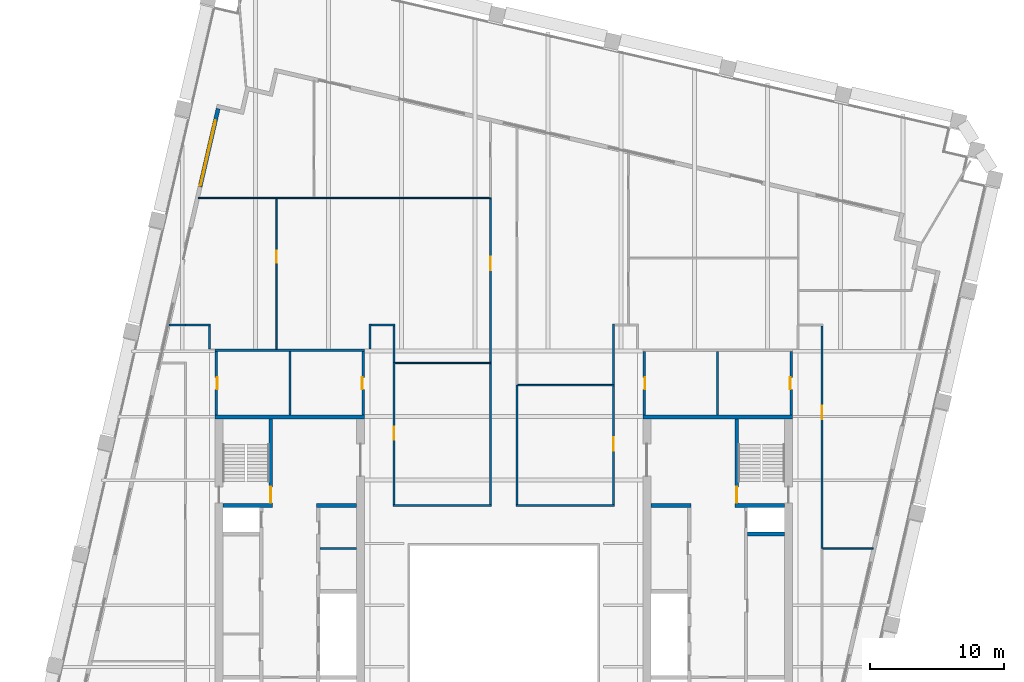
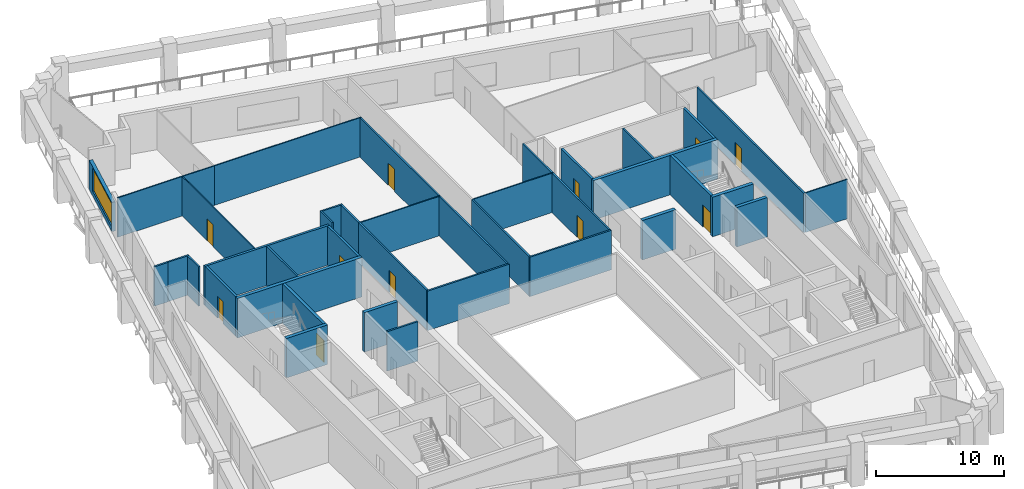
# One storey, part 8 of 11: 40 walls, 11 doors, 1 window, 12 openings.
"""IFC4 building model written with IfcOpenShell, lengths in metres."""

import ifcopenshell
import ifcopenshell.guid

model = None  # the IFC model being written
_history = None  # IfcOwnerHistory: only IFC2X3 demands one
_inside = {}  # id of a spatial element -> (the spatial element, [elements in it])
_under = {}  # id of a project, library or spatial element -> (it, [spatial elements below it])
_declared = {}  # id of a project -> (the project, [libraries it declares])
_typed = {}  # id of a type object -> (the type object, [elements of that type])
_made_of = {}  # id of a material, layer set ... -> (it, [elements and type objects made of it])


def new_model(schema):
    """Start an empty IFC model of exactly this schema.

    Asked for "IFC4X3", IfcOpenShell would pick the latest addendum, in which some entities
    have other attributes; the version numbers below select the first issue.
    IFC2X3 requires an IfcOwnerHistory on every rooted entity: one is made here for all.
    """
    global model, _history
    if schema == "IFC4X3":
        model = ifcopenshell.file(schema_version=(4, 3, 0, 0))
    else:
        model = ifcopenshell.file(schema=schema)
    _inside.clear()
    _under.clear()
    _declared.clear()
    _typed.clear()
    _made_of.clear()
    _history = None
    if model.schema == "IFC2X3":
        org = make("IfcOrganization", Name="unknown")
        user = make(
            "IfcPersonAndOrganization",
            ThePerson=make("IfcPerson", FamilyName="unknown"),
            TheOrganization=org,
        )
        app = make(
            "IfcApplication",
            ApplicationDeveloper=org,
            Version="unknown",
            ApplicationFullName="unknown",
            ApplicationIdentifier="unknown",
        )
        _history = make(
            "IfcOwnerHistory",
            OwningUser=user,
            OwningApplication=app,
            ChangeAction="ADDED",
            CreationDate=0,
        )
    return model


def make(cls, **values):
    """One entity of the class cls with the attributes given. An attribute that is None is left unset."""
    return model.create_entity(
        cls, **{name: value for name, value in values.items() if value is not None}
    )


def rooted(cls, **values):
    """An entity with a GlobalId (a new one), such as an element, a storey or a relation."""
    return make(cls, GlobalId=ifcopenshell.guid.new(), OwnerHistory=_history, **values)


def si_unit(unit_type, name, prefix=None):
    """IfcSIUnit, for example si_unit("LENGTHUNIT", "METRE", prefix="MILLI")."""
    return make("IfcSIUnit", UnitType=unit_type, Prefix=prefix, Name=name)


def assignment(units):
    """IfcUnitAssignment: the units of a project."""
    return None if units is None else make("IfcUnitAssignment", Units=units)


def point(xyz):
    """IfcCartesianPoint."""
    return None if xyz is None else make("IfcCartesianPoint", Coordinates=xyz)


def direction(xyz):
    """IfcDirection."""
    return None if xyz is None else make("IfcDirection", DirectionRatios=xyz)


def frame(location, z_axis=None, x_axis=None):
    """IfcAxis2Placement3D, a coordinate frame: its origin and axes. An axis left out is left unset."""
    return make(
        "IfcAxis2Placement3D",
        Location=point(location),
        Axis=direction(z_axis),
        RefDirection=direction(x_axis),
    )


def frame_2d(location, x_axis=None):
    """IfcAxis2Placement2D, a coordinate frame in the plane: its origin and x axis."""
    return make(
        "IfcAxis2Placement2D", Location=point(location), RefDirection=direction(x_axis)
    )


def origin():
    """The frame at (0, 0, 0) with its axes left unset."""
    return frame((0.0, 0.0, 0.0))


def place(relative_to, where):
    """IfcLocalPlacement: puts the frame where relative to a parent placement (None: the world)."""
    return make(
        "IfcLocalPlacement", PlacementRelTo=relative_to, RelativePlacement=where
    )


def context(
    kind, dimensions, precision=None, world=None, true_north=None, identifier=None
):
    """IfcGeometricRepresentationContext, for example the 3D "Model" context."""
    return make(
        "IfcGeometricRepresentationContext",
        ContextIdentifier=identifier,
        ContextType=kind,
        CoordinateSpaceDimension=dimensions,
        Precision=precision,
        WorldCoordinateSystem=world,
        TrueNorth=true_north,
    )


def subcontext(parent, identifier, kind, view, scale=None):
    """IfcGeometricRepresentationSubContext, for example "Body" below "Model"."""
    return make(
        "IfcGeometricRepresentationSubContext",
        ContextIdentifier=identifier,
        ContextType=kind,
        ParentContext=parent,
        TargetScale=scale,
        TargetView=view,
    )


def project(units=None, contexts=None):
    """IfcProject with its units and contexts."""
    return rooted(
        "IfcProject",
        Name="project",
        RepresentationContexts=contexts,
        UnitsInContext=assignment(units),
    )


def spatial(cls, under=None, at=None, **own):
    """A site, building, storey or space (cls), placed at a placement, below another one or the project."""
    s = rooted(cls, ObjectPlacement=at, **own)
    if under is not None:
        _under.setdefault(under.id(), (under, []))[1].append(s)
    return s


def profile(cls, at=None, kind="AREA", **sizes):
    """A parametric profile (cls). Its sizes go by their IFC names, for example OverallWidth=200.0."""
    return make(cls, ProfileType=kind, Position=at, **sizes)


def rectangle(**sizes):
    """IfcRectangleProfileDef."""
    return profile("IfcRectangleProfileDef", **sizes)


def extrude(swept, where, along, depth):
    """IfcExtrudedAreaSolid: the profile swept, set in the frame where, extruded along a direction by depth."""
    return make(
        "IfcExtrudedAreaSolid",
        SweptArea=swept,
        Position=where,
        ExtrudedDirection=direction(along),
        Depth=depth,
    )


def shape(context_of_items, identifier, shape_type, items):
    """IfcShapeRepresentation: the items that make up one representation, for example the "Body"."""
    return make(
        "IfcShapeRepresentation",
        ContextOfItems=context_of_items,
        RepresentationIdentifier=identifier,
        RepresentationType=shape_type,
        Items=items,
    )


def material(Name=None, Category=None):
    """IfcMaterial."""
    return make("IfcMaterial", Name=Name, Category=Category)


def layer(
    of_material, thickness, ventilated=None, Name=None, Category=None, Priority=None
):
    """IfcMaterialLayer: one layer of a wall or slab, of a material (None: an air gap)."""
    return make(
        "IfcMaterialLayer",
        Material=of_material,
        LayerThickness=thickness,
        IsVentilated=ventilated,
        Name=Name,
        Category=Category,
        Priority=Priority,
    )


def layer_set(layers, Name=None):
    """IfcMaterialLayerSet."""
    return make("IfcMaterialLayerSet", MaterialLayers=layers, LayerSetName=Name)


def made_of(thing, what):
    """Note that an element or type object is made of a material, layer set ...; save() writes the relation."""
    if what is not None:
        _made_of.setdefault(what.id(), (what, []))[1].append(thing)
    return thing


def type_object(cls, material=None, **own):
    """A type object (cls), such as IfcWallType, which elements share."""
    return made_of(rooted(cls, **own), material)


def element(
    cls,
    number,
    at=None,
    inside=None,
    cuts=None,
    type_object=None,
    material=None,
    context=None,
    identifier="Body",
    shape_type=None,
    held_by="IfcProductDefinitionShape",
    body=None,
    shapes=None,
    **own,
):
    """One element of the class cls, such as IfcWall. Its Tag is "e" and its number.

    at: its placement. inside: the storey or other place that contains it. cuts: it is an
    opening in that element (IfcRelVoidsElement). A single representation is given by context,
    identifier, shape_type and body (its items); several are given by shapes. held_by: the class
    of the entity that holds the representations. save() writes the other relations.
    """
    e = rooted(cls, Tag="e%d" % number, ObjectPlacement=at, **own)
    if body is not None:
        shapes = [shape(context, identifier, shape_type, body)]
    if shapes is not None:
        e.Representation = make(held_by, Representations=shapes)
    if inside is not None:
        _inside.setdefault(inside.id(), (inside, []))[1].append(e)
    if cuts is not None:
        rooted(
            "IfcRelVoidsElement", RelatingBuildingElement=cuts, RelatedOpeningElement=e
        )
    if type_object is not None:
        _typed.setdefault(type_object.id(), (type_object, []))[1].append(e)
    return made_of(e, material)


def fill(opening, filler):
    """IfcRelFillsElement: the door or window that sits in an opening."""
    return rooted(
        "IfcRelFillsElement",
        RelatingOpeningElement=opening,
        RelatedBuildingElement=filler,
    )


def aggregate(whole, parts):
    """IfcRelAggregates: a whole, such as a stair, and the parts it consists of."""
    return rooted("IfcRelAggregates", RelatingObject=whole, RelatedObjects=parts)


def save(model, path):
    """Write the relations noted so far, then the file.

    IfcRelAggregates (storeys below a building ...), IfcRelContainedInSpatialStructure (elements
    in a storey), IfcRelDefinesByType, IfcRelAssociatesMaterial and IfcRelDeclares: one each for
    every whole, place, type object, material and project.
    """
    for whole, parts in _under.values():
        aggregate(whole, parts)
    for where, things in _inside.values():
        rooted(
            "IfcRelContainedInSpatialStructure",
            RelatedElements=things,
            RelatingStructure=where,
        )
    for kind, things in _typed.values():
        rooted("IfcRelDefinesByType", RelatedObjects=things, RelatingType=kind)
    for what, things in _made_of.values():
        rooted("IfcRelAssociatesMaterial", RelatedObjects=things, RelatingMaterial=what)
    for by, libraries in _declared.values():
        rooted("IfcRelDeclares", RelatingContext=by, RelatedDefinitions=libraries)
    model.write(path)


model = new_model("IFC4")

# Units and contexts
model_context = context("Model", 3, precision=1e-05, world=origin(), true_north=direction((0.0, 1.0)))
body_context = subcontext(model_context, "Body", "Model", "MODEL_VIEW")
ifc_project = project(units=[si_unit("LENGTHUNIT", "METRE"), si_unit("AREAUNIT", "SQUARE_METRE"), si_unit("VOLUMEUNIT", "CUBIC_METRE"), si_unit("PLANEANGLEUNIT", "RADIAN"), si_unit("MASSUNIT", "GRAM", prefix="KILO")], contexts=[model_context])

# Site, building, storey
site_placement = place(None, origin())
site = spatial("IfcSite", under=ifc_project, at=site_placement, CompositionType="ELEMENT")
building_placement = place(site_placement, origin())
building = spatial("IfcBuilding", under=site, at=building_placement, Name="Ogive Exchange Tower", CompositionType="ELEMENT")
storey_placement = place(building_placement, frame((0.0, 0.0, 293.39990234375)))
storey = spatial("IfcBuildingStorey", under=building, at=storey_placement, Name="L64", CompositionType="ELEMENT", Elevation=293.39990234375)

# Walls
ifc_material_1 = material(Name="Gypsum board partition")
ifc_layer_1 = layer(ifc_material_1, 0.14990234375)
ifc_layer_set_1 = layer_set([ifc_layer_1], Name="Core room partition 150 gypsum")
wall_type_1 = type_object("IfcWallType", Name="Core room partition 150 gypsum", PredefinedType="PARTITIONING", material=ifc_layer_set_1)
wall_1_placement = place(storey_placement, frame((-13.75, 15.800048828125, 0.0), z_axis=(0.0, 0.0, 1.0), x_axis=(1.0, 0.0, 0.0)))
element("IfcWall", 1, at=wall_1_placement, inside=storey, type_object=wall_type_1, Name="W row B bay partition 4-1", PredefinedType="PARTITIONING", context=body_context, shape_type="SweptSolid", body=[
    extrude(rectangle(XDim=2.75, YDim=0.14990234375, at=frame_2d((1.375, 0.0))), origin(), (0.0, 0.0, 1.0), 3.75),
])
for number, where, z_axis, x_axis, name in (
    (2, (-16.0, 25.75, 0.0), (0.0, 0.0, 1.0), (0.0, 1.0, 0.0), "W annex N column wall"),
    (3, (16.0, 25.75, 0.0), (0.0, 0.0, 1.0), (0.0, 1.0, 0.0), "E annex N column wall"),
):
    element("IfcWall", number, at=place(storey_placement, frame(where, z_axis=z_axis, x_axis=x_axis)), inside=storey, type_object=wall_type_1, Name=name, PredefinedType="PARTITIONING", context=body_context, shape_type="SweptSolid", body=[
        extrude(rectangle(XDim=4.75, YDim=0.14990234375, at=frame_2d((2.375, 0.0))), origin(), (0.0, 0.0, 1.0), 3.75),
    ])
ifc_layer_2 = layer(ifc_material_1, 0.300048828125)
ifc_layer_set_2 = layer_set([ifc_layer_2], Name="Core room partition 300 gypsum")
wall_type_2 = type_object("IfcWallType", Name="Core room partition 300 gypsum", PredefinedType="PARTITIONING", material=ifc_layer_set_2)
for number, where, z_axis, x_axis, name in (
    (4, (-14.0, 19.0, 0.0), (0.0, 0.0, 1.0), (1.0, 0.0, 0.0), "W row B room end wall 7"),
    (5, (11.0, 19.0, 0.0), (0.0, 0.0, 1.0), (1.0, 0.0, 0.0), "E row B room end wall 7"),
):
    element("IfcWall", number, at=place(storey_placement, frame(where, z_axis=z_axis, x_axis=x_axis)), inside=storey, type_object=wall_type_2, Name=name, PredefinedType="PARTITIONING", context=body_context, shape_type="SweptSolid", body=[
        extrude(rectangle(XDim=3.0, YDim=0.300048828125, at=frame_2d((1.5, 0.0))), origin(), (0.0, 0.0, 1.0), 3.75),
    ])
ifc_material_2 = material(Name="Fire partition EI 60 150")
ifc_layer_3 = layer(ifc_material_2, 0.14990234375)
ifc_layer_set_3 = layer_set([ifc_layer_3], Name="Fire partition EI 60 150")
wall_type_3 = type_object("IfcWallType", Name="Fire partition EI 60 150", PredefinedType="PARTITIONING", material=ifc_layer_set_3)
wall_2_placement = place(storey_placement, frame((-25.02490234375, 32.489990234375, 0.0), z_axis=(0.0, 0.0, 1.0), x_axis=(1.0, 0.0, 0.0)))
element("IfcWall", 6, at=wall_2_placement, inside=storey, type_object=wall_type_3, Name="L64-PWL-001", PredefinedType="PARTITIONING", context=body_context, shape_type="SweptSolid", body=[
    extrude(rectangle(XDim=1.224853515625, YDim=0.14990234375, at=frame_2d((0.6123046875, 0.0))), origin(), (0.0, 0.0, 1.0), 3.75),
])
wall_3_placement = place(storey_placement, frame((-23.800048828125, 32.5, 0.0), z_axis=(0.0, 0.0, 1.0), x_axis=(1.0, 0.0, 0.0)))
element("IfcWall", 7, at=wall_3_placement, inside=storey, type_object=wall_type_3, Name="L64-PWL-006", PredefinedType="PARTITIONING", context=body_context, shape_type="SweptSolid", body=[
    extrude(rectangle(XDim=1.875, YDim=0.14990234375, at=frame_2d((0.9375, 0.0))), origin(), (0.0, 0.0, 1.0), 3.75),
])
wall_4_placement = place(storey_placement, frame((-22.0, 32.425048828125, 0.0), z_axis=(0.0, 0.0, 1.0), x_axis=(0.0, -1.0, 0.0)))
element("IfcWall", 8, at=wall_4_placement, inside=storey, type_object=wall_type_3, Name="L64-PWL-008", PredefinedType="PARTITIONING", context=body_context, shape_type="SweptSolid", body=[
    extrude(rectangle(XDim=1.72509765625, YDim=0.14990234375, at=frame_2d((0.862548828125, 0.0))), origin(), (0.0, 0.0, 1.0), 3.75),
])
wall_5_placement = place(storey_placement, frame((-10.0, 30.699951171875, 0.0), z_axis=(0.0, 0.0, 1.0), x_axis=(0.0, 1.0, 0.0)))
element("IfcWall", 9, at=wall_5_placement, inside=storey, type_object=wall_type_3, Name="L64-PWL-015", PredefinedType="PARTITIONING", context=body_context, shape_type="SweptSolid", body=[
    extrude(rectangle(XDim=1.875, YDim=0.14990234375, at=frame_2d((0.9375, 0.0))), origin(), (0.0, 0.0, 1.0), 3.75),
])
wall_6_placement = place(storey_placement, frame((-9.925048828125, 32.5, 0.0), z_axis=(0.0, 0.0, 1.0), x_axis=(1.0, 0.0, 0.0)))
element("IfcWall", 10, at=wall_6_placement, inside=storey, type_object=wall_type_3, Name="L64-PWL-016", PredefinedType="PARTITIONING", context=body_context, shape_type="SweptSolid", body=[
    extrude(rectangle(XDim=1.800048828125, YDim=0.14990234375, at=frame_2d((0.89990234375, 0.0))), origin(), (0.0, 0.0, 1.0), 3.75),
])
wall_7_placement = place(storey_placement, frame((-8.27490234375, 19.0, 0.0), z_axis=(0.0, 0.0, 1.0), x_axis=(1.0, 0.0, 0.0)))
element("IfcWall", 11, at=wall_7_placement, inside=storey, type_object=wall_type_3, Name="L64-PWL-017", PredefinedType="PARTITIONING", context=body_context, shape_type="SweptSolid", body=[
    extrude(rectangle(XDim=7.35986328125, YDim=0.14990234375, at=frame_2d((3.679931640625, 0.0))), origin(), (0.0, 0.0, 1.0), 3.75),
])

# Wall, opening, door
wall_8_placement = place(storey_placement, frame((-8.199951171875, 29.7099609375, 0.0), z_axis=(0.0, 0.0, 1.0), x_axis=(0.0, -1.0, 0.0)))
wall_8 = element("IfcWall", 12, at=wall_8_placement, inside=storey, type_object=wall_type_3, Name="L64-PWL-018", PredefinedType="PARTITIONING", context=body_context, shape_type="SweptSolid", body=[
    extrude(rectangle(XDim=10.635009765625, YDim=0.14990234375, at=frame_2d((5.3173828125, 0.0))), origin(), (0.0, 0.0, 1.0), 3.75),
])
opening_1_placement = place(wall_8_placement, frame((4.81005859375, 0.0, 0.0)))
opening_1 = element("IfcOpeningElement", 13, at=opening_1_placement, cuts=wall_8, Name="Opening L64-I10", PredefinedType="OPENING", context=body_context, shape_type="SweptSolid", body=[
    extrude(rectangle(XDim=1.0, YDim=2.10009765625, at=frame_2d((0.5, 1.050048828125))), frame((0.0, 0.0849609375, 0.0), z_axis=(0.0, -1.0, 0.0), x_axis=(1.0, 0.0, 0.0)), (0.0, 0.0, 1.0), 0.169921875),
])
ifc_material_3 = material(Name="Fire door FD 30S 1000 x 2100")
door_type_1 = type_object("IfcDoorType", Name="Fire door FD 30S 1000 x 2100", OperationType="NOTDEFINED", PredefinedType="DOOR", material=ifc_material_3)
door_1_placement = place(opening_1_placement, origin())
door_1 = element("IfcDoor", 14, at=door_1_placement, inside=storey, type_object=door_type_1, Name="L64-IDR-010", ObjectType="DT3", OperationType="SINGLE_SWING_LEFT", OverallHeight=2.10009765625, OverallWidth=1.0, PredefinedType="DOOR", context=body_context, shape_type="SweptSolid", body=[
    extrude(rectangle(XDim=1.0, YDim=2.10009765625, at=frame_2d((0.5, 1.050048828125))), frame((0.0, 0.02490234375, 0.0), z_axis=(0.0, -1.0, 0.0), x_axis=(1.0, 0.0, 0.0)), (0.0, 0.0, 1.0), 0.050048828125),
])
fill(opening_1, door_1)

# Walls
wall_9_placement = place(storey_placement, frame((-8.199951171875, 32.425048828125, 0.0), z_axis=(0.0, 0.0, 1.0), x_axis=(0.0, -1.0, 0.0)))
element("IfcWall", 15, at=wall_9_placement, inside=storey, type_object=wall_type_3, Name="L64-PWL-020", PredefinedType="PARTITIONING", context=body_context, shape_type="SweptSolid", body=[
    extrude(rectangle(XDim=2.715087890625, YDim=0.14990234375, at=frame_2d((1.357421875, 0.0))), origin(), (0.0, 0.0, 1.0), 3.75),
])
wall_10_placement = place(storey_placement, frame((-0.989990234375, 19.074951171875, 0.0), z_axis=(0.0, 0.0, 1.0), x_axis=(0.0, 1.0, 0.0)))
element("IfcWall", 16, at=wall_10_placement, inside=storey, type_object=wall_type_3, Name="L64-PWL-021", PredefinedType="PARTITIONING", context=body_context, shape_type="SweptSolid", body=[
    extrude(rectangle(XDim=10.53515625, YDim=0.14990234375, at=frame_2d((5.267578125, 0.0))), origin(), (0.0, 0.0, 1.0), 3.75),
])

# Wall, opening, door
wall_11_placement = place(storey_placement, frame((-0.989990234375, 29.7099609375, 0.0), z_axis=(0.0, 0.0, 1.0), x_axis=(0.0, 1.0, 0.0)))
wall_11 = element("IfcWall", 17, at=wall_11_placement, inside=storey, type_object=wall_type_3, Name="L64-PWL-022", PredefinedType="PARTITIONING", context=body_context, shape_type="SweptSolid", body=[
    extrude(rectangle(XDim=12.239990234375, YDim=0.14990234375, at=frame_2d((6.1201171875, 0.0))), origin(), (0.0, 0.0, 1.0), 3.75),
])
opening_2_placement = place(wall_11_placement, frame((6.889892578125, 0.0, 0.0)))
opening_2 = element("IfcOpeningElement", 18, at=opening_2_placement, cuts=wall_11, Name="Opening L64-I12", PredefinedType="OPENING", context=body_context, shape_type="SweptSolid", body=[
    extrude(rectangle(XDim=1.0, YDim=2.10009765625, at=frame_2d((0.5, 1.050048828125))), frame((0.0, 0.0849609375, 0.0), z_axis=(0.0, -1.0, 0.0), x_axis=(1.0, 0.0, 0.0)), (0.0, 0.0, 1.0), 0.169921875),
])
door_2_placement = place(opening_2_placement, origin())
door_2 = element("IfcDoor", 19, at=door_2_placement, inside=storey, type_object=door_type_1, Name="L64-IDR-012", ObjectType="DT3", OperationType="SINGLE_SWING_LEFT", OverallHeight=2.10009765625, OverallWidth=1.0, PredefinedType="DOOR", context=body_context, shape_type="SweptSolid", body=[
    extrude(rectangle(XDim=1.0, YDim=2.10009765625, at=frame_2d((0.5, 1.050048828125))), frame((0.0, 0.02490234375, 0.0), z_axis=(0.0, -1.0, 0.0), x_axis=(1.0, 0.0, 0.0)), (0.0, 0.0, 1.0), 0.050048828125),
])
fill(opening_2, door_2)

# Walls
wall_12_placement = place(storey_placement, frame((0.9150390625, 19.0, 0.0), z_axis=(0.0, 0.0, 1.0), x_axis=(1.0, 0.0, 0.0)))
element("IfcWall", 20, at=wall_12_placement, inside=storey, type_object=wall_type_3, Name="L64-PWL-025", PredefinedType="PARTITIONING", context=body_context, shape_type="SweptSolid", body=[
    extrude(rectangle(XDim=7.35986328125, YDim=0.14990234375, at=frame_2d((3.679931640625, 0.0))), origin(), (0.0, 0.0, 1.0), 3.75),
])
wall_13_placement = place(storey_placement, frame((0.989990234375, 28.0, 0.0), z_axis=(0.0, 0.0, 1.0), x_axis=(0.0, -1.0, 0.0)))
element("IfcWall", 21, at=wall_13_placement, inside=storey, type_object=wall_type_3, Name="L64-PWL-026", PredefinedType="PARTITIONING", context=body_context, shape_type="SweptSolid", body=[
    extrude(rectangle(XDim=8.925048828125, YDim=0.14990234375, at=frame_2d((4.46240234375, 0.0))), origin(), (0.0, 0.0, 1.0), 3.75),
])

# Wall, opening, door
wall_14_placement = place(storey_placement, frame((8.199951171875, 19.074951171875, 0.0), z_axis=(0.0, 0.0, 1.0), x_axis=(0.0, 1.0, 0.0)))
wall_14 = element("IfcWall", 22, at=wall_14_placement, inside=storey, type_object=wall_type_3, Name="L64-PWL-029", PredefinedType="PARTITIONING", context=body_context, shape_type="SweptSolid", body=[
    extrude(rectangle(XDim=8.875, YDim=0.14990234375, at=frame_2d((4.4375, 0.0))), origin(), (0.0, 0.0, 1.0), 3.75),
])
opening_3_placement = place(wall_14_placement, frame((4.02490234375, 0.0, 0.0)))
opening_3 = element("IfcOpeningElement", 23, at=opening_3_placement, cuts=wall_14, Name="Opening L64-I01", PredefinedType="OPENING", context=body_context, shape_type="SweptSolid", body=[
    extrude(rectangle(XDim=1.0, YDim=2.10009765625, at=frame_2d((0.5, 1.050048828125))), frame((0.0, 0.0849609375, 0.0), z_axis=(0.0, -1.0, 0.0), x_axis=(1.0, 0.0, 0.0)), (0.0, 0.0, 1.0), 0.169921875),
])
door_3_placement = place(opening_3_placement, origin())
door_3 = element("IfcDoor", 24, at=door_3_placement, inside=storey, type_object=door_type_1, Name="L64-IDR-001", ObjectType="DT3", OperationType="SINGLE_SWING_RIGHT", OverallHeight=2.10009765625, OverallWidth=1.0, PredefinedType="DOOR", context=body_context, shape_type="SweptSolid", body=[
    extrude(rectangle(XDim=1.0, YDim=2.10009765625, at=frame_2d((0.5, 1.050048828125))), frame((0.0, 0.02490234375, 0.0), z_axis=(0.0, -1.0, 0.0), x_axis=(1.0, 0.0, 0.0)), (0.0, 0.0, 1.0), 0.050048828125),
])
fill(opening_3, door_3)

# Wall
wall_15_placement = place(storey_placement, frame((8.199951171875, 28.050048828125, 0.0), z_axis=(0.0, 0.0, 1.0), x_axis=(0.0, 1.0, 0.0)))
element("IfcWall", 25, at=wall_15_placement, inside=storey, type_object=wall_type_3, Name="L64-PWL-030", PredefinedType="PARTITIONING", context=body_context, shape_type="SweptSolid", body=[
    extrude(rectangle(XDim=4.52490234375, YDim=0.14990234375, at=frame_2d((2.262451171875, 0.0))), origin(), (0.0, 0.0, 1.0), 3.75),
])

# Wall, opening, door
wall_16_placement = place(storey_placement, frame((23.800048828125, 32.425048828125, 0.0), z_axis=(0.0, 0.0, 1.0), x_axis=(0.0, -1.0, 0.0)))
wall_16 = element("IfcWall", 26, at=wall_16_placement, inside=storey, type_object=wall_type_3, Name="L64-PWL-051", PredefinedType="PARTITIONING", context=body_context, shape_type="SweptSolid", body=[
    extrude(rectangle(XDim=16.635009765625, YDim=0.14990234375, at=frame_2d((8.3173828125, 0.0))), origin(), (0.0, 0.0, 1.0), 3.75),
])
opening_4_placement = place(wall_16_placement, frame((5.985107421875, 0.0, 0.0)))
opening_4 = element("IfcOpeningElement", 27, at=opening_4_placement, cuts=wall_16, Name="Opening L64-I08", PredefinedType="OPENING", context=body_context, shape_type="SweptSolid", body=[
    extrude(rectangle(XDim=1.0, YDim=2.10009765625, at=frame_2d((0.5, 1.050048828125))), frame((0.0, 0.0849609375, 0.0), z_axis=(0.0, -1.0, 0.0), x_axis=(1.0, 0.0, 0.0)), (0.0, 0.0, 1.0), 0.169921875),
])
door_4_placement = place(opening_4_placement, origin())
door_4 = element("IfcDoor", 28, at=door_4_placement, inside=storey, type_object=door_type_1, Name="L64-IDR-008", ObjectType="DT3", OperationType="SINGLE_SWING_RIGHT", OverallHeight=2.10009765625, OverallWidth=1.0, PredefinedType="DOOR", context=body_context, shape_type="SweptSolid", body=[
    extrude(rectangle(XDim=1.0, YDim=2.10009765625, at=frame_2d((0.5, 1.050048828125))), frame((0.0, 0.02490234375, 0.0), z_axis=(0.0, -1.0, 0.0), x_axis=(1.0, 0.0, 0.0)), (0.0, 0.0, 1.0), 0.050048828125),
])
fill(opening_4, door_4)

# Wall, opening, window
ifc_material_4 = material(Name="Precast concrete C40/50", Category="concrete")
ifc_layer_4 = layer(ifc_material_4, 0.300048828125)
ifc_layer_set_4 = layer_set([ifc_layer_4], Name="Limestone-faced wall 300")
wall_type_4 = type_object("IfcWallType", Name="Limestone-faced wall 300", PredefinedType="STANDARD", material=ifc_layer_set_4)
wall_17_placement = place(storey_placement, frame((-21.35888671875, 48.67822265625, 0.0), z_axis=(0.0, 0.0, 1.0), x_axis=(-0.224957459086, -0.974368586112, 0.0)))
wall_17 = element("IfcWall", 29, at=wall_17_placement, inside=storey, type_object=wall_type_4, Name="External wall W5", PredefinedType="STANDARD", context=body_context, shape_type="SweptSolid", body=[
    extrude(rectangle(XDim=6.007080078125, YDim=0.300048828125, at=frame_2d((3.00341796875, 0.0))), origin(), (0.0, 0.0, 1.0), 2.77001953125),
])
opening_5_placement = place(wall_17_placement, frame((0.906982421875, 0.0, 0.449951171875)))
opening_5 = element("IfcOpeningElement", 30, at=opening_5_placement, cuts=wall_17, Name="Opening W2O", PredefinedType="OPENING", context=body_context, shape_type="SweptSolid", body=[
    extrude(rectangle(XDim=5.0, YDim=2.199951171875, at=frame_2d((2.5, 1.10009765625))), frame((0.0, 0.159912109375, 0.0), z_axis=(0.0, -1.0, 0.0), x_axis=(1.0, 0.0, 0.0)), (0.0, 0.0, 1.0), 0.320068359375),
])
ifc_material_5 = material(Name="Clear glass in bronze frame", Category="glass")
window_type = type_object("IfcWindowType", Name="Executive lancet window 5000 x 2200", PartitioningType="DOUBLE_PANEL_VERTICAL", PredefinedType="WINDOW", material=ifc_material_5)
window_placement = place(opening_5_placement, origin())
window = element("IfcWindow", 31, at=window_placement, inside=storey, type_object=window_type, Name="Window W00", OverallHeight=2.199951171875, OverallWidth=5.0, PartitioningType="DOUBLE_PANEL_VERTICAL", PredefinedType="WINDOW", context=body_context, shape_type="SweptSolid", body=[
    extrude(rectangle(XDim=5.0, YDim=2.199951171875, at=frame_2d((2.5, 1.10009765625))), frame((0.0, 0.030029296875, 0.0), z_axis=(0.0, -1.0, 0.0), x_axis=(1.0, 0.0, 0.0)), (0.0, 0.0, 1.0), 0.06005859375),
])
fill(opening_5, window)

# Wall
ifc_material_6 = material(Name="Partition 100 gypsum")
ifc_layer_5 = layer(ifc_material_6, 0.10009765625)
ifc_layer_set_5 = layer_set([ifc_layer_5], Name="Partition 100 gypsum")
wall_type_5 = type_object("IfcWallType", Name="Partition 100 gypsum", PredefinedType="PARTITIONING", material=ifc_layer_set_5)
wall_18_placement = place(storey_placement, frame((-22.8291015625, 42.0, 0.0), z_axis=(0.0, 0.0, 1.0), x_axis=(1.0, 0.0, 0.0)))
element("IfcWall", 32, at=wall_18_placement, inside=storey, type_object=wall_type_5, Name="L64-PWL-007", PredefinedType="PARTITIONING", context=body_context, shape_type="SweptSolid", body=[
    extrude(rectangle(XDim=5.879150390625, YDim=0.10009765625, at=frame_2d((2.939453125, 0.0))), origin(), (0.0, 0.0, 1.0), 3.75),
])

# Wall, opening, door
wall_19_placement = place(storey_placement, frame((-17.0, 41.949951171875, 0.0), z_axis=(0.0, 0.0, 1.0), x_axis=(0.0, -1.0, 0.0)))
wall_19 = element("IfcWall", 33, at=wall_19_placement, inside=storey, type_object=wall_type_5, Name="L64-PWL-009", PredefinedType="PARTITIONING", context=body_context, shape_type="SweptSolid", body=[
    extrude(rectangle(XDim=11.25, YDim=0.10009765625, at=frame_2d((5.625, 0.0))), origin(), (0.0, 0.0, 1.0), 3.75),
])
opening_6_placement = place(wall_19_placement, frame((3.89990234375, 0.0, 0.0)))
opening_6 = element("IfcOpeningElement", 34, at=opening_6_placement, cuts=wall_19, Name="Opening L64-I11", PredefinedType="OPENING", context=body_context, shape_type="SweptSolid", body=[
    extrude(rectangle(XDim=0.89990234375, YDim=2.10009765625, at=frame_2d((0.449951171875, 1.050048828125))), frame((0.0, 0.06005859375, 0.0), z_axis=(0.0, -1.0, 0.0), x_axis=(1.0, 0.0, 0.0)), (0.0, 0.0, 1.0), 0.1201171875),
])
ifc_material_7 = material(Name="Door 900 x 2100")
door_type_2 = type_object("IfcDoorType", Name="Door 900 x 2100", OperationType="NOTDEFINED", PredefinedType="DOOR", material=ifc_material_7)
door_5_placement = place(opening_6_placement, frame((0.89990234375, 0.0, 0.0), z_axis=(0.0, 0.0, 1.0), x_axis=(-1.0, 0.0, 0.0)))
door_5 = element("IfcDoor", 35, at=door_5_placement, inside=storey, type_object=door_type_2, Name="L64-IDR-011", ObjectType="DT1", OperationType="SINGLE_SWING_RIGHT", OverallHeight=2.10009765625, OverallWidth=0.89990234375, PredefinedType="DOOR", context=body_context, shape_type="SweptSolid", body=[
    extrude(rectangle(XDim=0.89990234375, YDim=2.10009765625, at=frame_2d((0.449951171875, 1.050048828125))), frame((0.0, 0.02490234375, 0.0), z_axis=(0.0, -1.0, 0.0), x_axis=(1.0, 0.0, 0.0)), (0.0, 0.0, 1.0), 0.050048828125),
])
fill(opening_6, door_5)

# Walls
wall_20_placement = place(storey_placement, frame((-16.949951171875, 42.0, 0.0), z_axis=(0.0, 0.0, 1.0), x_axis=(1.0, 0.0, 0.0)))
element("IfcWall", 36, at=wall_20_placement, inside=storey, type_object=wall_type_5, Name="L64-PWL-010", PredefinedType="PARTITIONING", context=body_context, shape_type="SweptSolid", body=[
    extrude(rectangle(XDim=2.81005859375, YDim=0.10009765625, at=frame_2d((1.405029296875, 0.0))), origin(), (0.0, 0.0, 1.0), 3.75),
])
wall_21_placement = place(storey_placement, frame((-14.18994140625, 42.0, 0.0), z_axis=(0.0, 0.0, 1.0), x_axis=(1.0, 0.0, 0.0)))
element("IfcWall", 37, at=wall_21_placement, inside=storey, type_object=wall_type_5, Name="L64-PWL-012", PredefinedType="PARTITIONING", context=body_context, shape_type="SweptSolid", body=[
    extrude(rectangle(XDim=13.27490234375, YDim=0.10009765625, at=frame_2d((6.637451171875, 0.0))), origin(), (0.0, 0.0, 1.0), 3.75),
])
for number, where, z_axis, x_axis, name in (
    (38, (-8.125, 29.659912109375, 0.0), (0.0, 0.0, 1.0), (1.0, 0.0, 0.0), "L64-PWL-019"),
    (39, (1.06494140625, 28.0, 0.0), (0.0, 0.0, 1.0), (1.0, 0.0, 0.0), "L64-PWL-027"),
):
    element("IfcWall", number, at=place(storey_placement, frame(where, z_axis=z_axis, x_axis=x_axis)), inside=storey, type_object=wall_type_5, Name=name, PredefinedType="PARTITIONING", context=body_context, shape_type="SweptSolid", body=[
        extrude(rectangle(XDim=7.2099609375, YDim=0.10009765625, at=frame_2d((3.60498046875, 0.0))), origin(), (0.0, 0.0, 1.0), 3.75),
    ])
wall_22_placement = place(storey_placement, frame((23.875, 15.7900390625, 0.0), z_axis=(0.0, 0.0, 1.0), x_axis=(1.0, 0.0, 0.0)))
element("IfcWall", 40, at=wall_22_placement, inside=storey, type_object=wall_type_5, Name="L64-PWL-050", PredefinedType="PARTITIONING", context=body_context, shape_type="SweptSolid", body=[
    extrude(rectangle(XDim=3.75390625, YDim=0.10009765625, at=frame_2d((1.876953125, 0.0))), origin(), (0.0, 0.0, 1.0), 3.75),
])

# Wall, opening, door
ifc_material_8 = material(Name="Concrete C70/85", Category="concrete")
ifc_layer_6 = layer(ifc_material_8, 0.199951171875)
ifc_layer_set_6 = layer_set([ifc_layer_6], Name="RC core wall 200 C70/85")
wall_type_6 = type_object("IfcWallType", Name="RC core wall 200 C70/85", PredefinedType="SHEAR", material=ifc_layer_set_6)
wall_23_placement = place(storey_placement, frame((-21.5, 25.75, 0.0), z_axis=(0.0, 0.0, 1.0), x_axis=(0.0, 1.0, 0.0)))
wall_23 = element("IfcWall", 41, at=wall_23_placement, inside=storey, type_object=wall_type_6, Name="W annex N outer wall", PredefinedType="SHEAR", context=body_context, shape_type="SweptSolid", body=[
    extrude(rectangle(XDim=4.75, YDim=0.199951171875, at=frame_2d((2.375, 0.0))), origin(), (0.0, 0.0, 1.0), 3.75),
])
opening_7_placement = place(wall_23_placement, frame((1.925048828125, 0.0, 0.0)))
opening_7 = element("IfcOpeningElement", 42, at=opening_7_placement, cuts=wall_23, Name="Opening L64-C19", PredefinedType="OPENING", context=body_context, shape_type="SweptSolid", body=[
    extrude(rectangle(XDim=0.89990234375, YDim=2.10009765625, at=frame_2d((0.449951171875, 1.050048828125))), frame((0.0, 0.10986328125, 0.0), z_axis=(0.0, -1.0, 0.0), x_axis=(1.0, 0.0, 0.0)), (0.0, 0.0, 1.0), 0.219970703125),
])
ifc_material_9 = material(Name="Timber fire door", Category="wood")
door_type_3 = type_object("IfcDoorType", Name="Core room door FD30S 900 x 2100", OperationType="NOTDEFINED", PredefinedType="DOOR", material=ifc_material_9)
door_6_placement = place(opening_7_placement, origin())
door_6 = element("IfcDoor", 43, at=door_6_placement, inside=storey, type_object=door_type_3, Name="Core room door", ObjectType="CD6", OperationType="SINGLE_SWING_LEFT", OverallHeight=2.10009765625, OverallWidth=0.89990234375, PredefinedType="DOOR", context=body_context, shape_type="SweptSolid", body=[
    extrude(rectangle(XDim=0.89990234375, YDim=2.10009765625, at=frame_2d((0.449951171875, 1.050048828125))), frame((0.0, -0.0498046875, 0.0), z_axis=(0.0, -1.0, 0.0), x_axis=(1.0, 0.0, 0.0)), (0.0, 0.0, 1.0), 0.050048828125),
])
fill(opening_7, door_6)

wall_24_placement = place(storey_placement, frame((-10.5, 25.75, 0.0), z_axis=(0.0, 0.0, 1.0), x_axis=(0.0, 1.0, 0.0)))
wall_24 = element("IfcWall", 44, at=wall_24_placement, inside=storey, type_object=wall_type_6, Name="W annex N inner wall", PredefinedType="SHEAR", context=body_context, shape_type="SweptSolid", body=[
    extrude(rectangle(XDim=4.75, YDim=0.199951171875, at=frame_2d((2.375, 0.0))), origin(), (0.0, 0.0, 1.0), 3.75),
])
opening_8_placement = place(wall_24_placement, frame((1.925048828125, 0.0, 0.0)))
opening_8 = element("IfcOpeningElement", 45, at=opening_8_placement, cuts=wall_24, Name="Opening L64-C20", PredefinedType="OPENING", context=body_context, shape_type="SweptSolid", body=[
    extrude(rectangle(XDim=0.89990234375, YDim=2.10009765625, at=frame_2d((0.449951171875, 1.050048828125))), frame((0.0, 0.10986328125, 0.0), z_axis=(0.0, -1.0, 0.0), x_axis=(1.0, 0.0, 0.0)), (0.0, 0.0, 1.0), 0.219970703125),
])
ifc_material_10 = material(Name="Steel fire door", Category="steel")
door_type_4 = type_object("IfcDoorType", Name="Riser door FD60 900 x 2100", OperationType="NOTDEFINED", PredefinedType="DOOR", material=ifc_material_10)
door_7_placement = place(opening_8_placement, frame((0.89990234375, 0.14990234375, 0.0), z_axis=(0.0, 0.0, 1.0), x_axis=(-1.0, 0.0, 0.0)))
door_7 = element("IfcDoor", 46, at=door_7_placement, inside=storey, type_object=door_type_4, Name="Riser door", ObjectType="CD2", OperationType="SINGLE_SWING_LEFT", OverallHeight=2.10009765625, OverallWidth=0.89990234375, PredefinedType="DOOR", context=body_context, shape_type="SweptSolid", body=[
    extrude(rectangle(XDim=0.89990234375, YDim=2.10009765625, at=frame_2d((0.449951171875, 1.050048828125))), frame((0.0, 0.10009765625, 0.0), z_axis=(0.0, -1.0, 0.0), x_axis=(1.0, 0.0, 0.0)), (0.0, 0.0, 1.0), 0.050048828125),
])
fill(opening_8, door_7)

# Wall
wall_25_placement = place(storey_placement, frame((-21.60009765625, 30.60009765625, 0.0), z_axis=(0.0, 0.0, 1.0), x_axis=(1.0, 0.0, 0.0)))
element("IfcWall", 47, at=wall_25_placement, inside=storey, type_object=wall_type_6, Name="W annex N end wall", PredefinedType="SHEAR", context=body_context, shape_type="SweptSolid", body=[
    extrude(rectangle(XDim=11.2001953125, YDim=0.199951171875, at=frame_2d((5.60009765625, 0.0))), origin(), (0.0, 0.0, 1.0), 3.75),
])

# Wall, opening, door
wall_26_placement = place(storey_placement, frame((21.5, 25.75, 0.0), z_axis=(0.0, 0.0, 1.0), x_axis=(0.0, 1.0, 0.0)))
wall_26 = element("IfcWall", 48, at=wall_26_placement, inside=storey, type_object=wall_type_6, Name="E annex N outer wall", PredefinedType="SHEAR", context=body_context, shape_type="SweptSolid", body=[
    extrude(rectangle(XDim=4.75, YDim=0.199951171875, at=frame_2d((2.375, 0.0))), origin(), (0.0, 0.0, 1.0), 3.75),
])
opening_9_placement = place(wall_26_placement, frame((1.925048828125, 0.0, 0.0)))
opening_9 = element("IfcOpeningElement", 49, at=opening_9_placement, cuts=wall_26, Name="Opening L64-C37", PredefinedType="OPENING", context=body_context, shape_type="SweptSolid", body=[
    extrude(rectangle(XDim=0.89990234375, YDim=2.10009765625, at=frame_2d((0.449951171875, 1.050048828125))), frame((0.0, 0.10986328125, 0.0), z_axis=(0.0, -1.0, 0.0), x_axis=(1.0, 0.0, 0.0)), (0.0, 0.0, 1.0), 0.219970703125),
])
door_8_placement = place(opening_9_placement, frame((0.89990234375, 0.14990234375, 0.0), z_axis=(0.0, 0.0, 1.0), x_axis=(-1.0, 0.0, 0.0)))
door_8 = element("IfcDoor", 50, at=door_8_placement, inside=storey, type_object=door_type_4, Name="Riser door", ObjectType="CD2", OperationType="SINGLE_SWING_LEFT", OverallHeight=2.10009765625, OverallWidth=0.89990234375, PredefinedType="DOOR", context=body_context, shape_type="SweptSolid", body=[
    extrude(rectangle(XDim=0.89990234375, YDim=2.10009765625, at=frame_2d((0.449951171875, 1.050048828125))), frame((0.0, 0.10009765625, 0.0), z_axis=(0.0, -1.0, 0.0), x_axis=(1.0, 0.0, 0.0)), (0.0, 0.0, 1.0), 0.050048828125),
])
fill(opening_9, door_8)

wall_27_placement = place(storey_placement, frame((10.5, 25.75, 0.0), z_axis=(0.0, 0.0, 1.0), x_axis=(0.0, 1.0, 0.0)))
wall_27 = element("IfcWall", 51, at=wall_27_placement, inside=storey, type_object=wall_type_6, Name="E annex N inner wall", PredefinedType="SHEAR", context=body_context, shape_type="SweptSolid", body=[
    extrude(rectangle(XDim=4.75, YDim=0.199951171875, at=frame_2d((2.375, 0.0))), origin(), (0.0, 0.0, 1.0), 3.75),
])
opening_10_placement = place(wall_27_placement, frame((1.925048828125, 0.0, 0.0)))
opening_10 = element("IfcOpeningElement", 52, at=opening_10_placement, cuts=wall_27, Name="Opening L64-C38", PredefinedType="OPENING", context=body_context, shape_type="SweptSolid", body=[
    extrude(rectangle(XDim=0.89990234375, YDim=2.10009765625, at=frame_2d((0.449951171875, 1.050048828125))), frame((0.0, 0.10986328125, 0.0), z_axis=(0.0, -1.0, 0.0), x_axis=(1.0, 0.0, 0.0)), (0.0, 0.0, 1.0), 0.219970703125),
])
door_9_placement = place(opening_10_placement, origin())
door_9 = element("IfcDoor", 53, at=door_9_placement, inside=storey, type_object=door_type_4, Name="Riser door", ObjectType="CD2", OperationType="SINGLE_SWING_LEFT", OverallHeight=2.10009765625, OverallWidth=0.89990234375, PredefinedType="DOOR", context=body_context, shape_type="SweptSolid", body=[
    extrude(rectangle(XDim=0.89990234375, YDim=2.10009765625, at=frame_2d((0.449951171875, 1.050048828125))), frame((0.0, -0.0498046875, 0.0), z_axis=(0.0, -1.0, 0.0), x_axis=(1.0, 0.0, 0.0)), (0.0, 0.0, 1.0), 0.050048828125),
])
fill(opening_10, door_9)

ifc_layer_7 = layer(ifc_material_8, 0.25)
ifc_layer_set_7 = layer_set([ifc_layer_7], Name="RC core wall 250 C70/85")
wall_type_7 = type_object("IfcWallType", Name="RC core wall 250 C70/85", PredefinedType="SHEAR", material=ifc_layer_set_7)
wall_28_placement = place(storey_placement, frame((-17.425048828125, 19.14990234375, 0.0), z_axis=(0.0, 0.0, 1.0), x_axis=(0.0, 1.0, 0.0)))
wall_28 = element("IfcWall", 54, at=wall_28_placement, inside=storey, type_object=wall_type_7, Name="W stair N front wall", PredefinedType="SHEAR", context=body_context, shape_type="SweptSolid", body=[
    extrude(rectangle(XDim=6.300048828125, YDim=0.25, at=frame_2d((3.14990234375, 0.0))), origin(), (0.0, 0.0, 1.0), 3.75),
])
opening_11_placement = place(wall_28_placement, frame((0.050048828125, 0.0, 0.0)))
opening_11 = element("IfcOpeningElement", 55, at=opening_11_placement, cuts=wall_28, Name="Opening L64-C15", PredefinedType="OPENING", context=body_context, shape_type="SweptSolid", body=[
    extrude(rectangle(XDim=1.199951171875, YDim=2.10009765625, at=frame_2d((0.60009765625, 1.050048828125))), frame((0.0, 0.135009765625, 0.0), z_axis=(0.0, -1.0, 0.0), x_axis=(1.0, 0.0, 0.0)), (0.0, 0.0, 1.0), 0.27001953125),
])
door_type_5 = type_object("IfcDoorType", Name="Stair door FD90 1200 x 2100", OperationType="NOTDEFINED", PredefinedType="DOOR", material=ifc_material_10)
door_10_placement = place(opening_11_placement, origin())
door_10 = element("IfcDoor", 56, at=door_10_placement, inside=storey, type_object=door_type_5, Name="Stair door", ObjectType="CD5", OperationType="SINGLE_SWING_RIGHT", OverallHeight=2.10009765625, OverallWidth=1.199951171875, PredefinedType="DOOR", context=body_context, shape_type="SweptSolid", body=[
    extrude(rectangle(XDim=1.199951171875, YDim=2.10009765625, at=frame_2d((0.60009765625, 1.050048828125))), frame((0.0, 0.02490234375, 0.0), z_axis=(0.0, -1.0, 0.0), x_axis=(1.0, 0.0, 0.0)), (0.0, 0.0, 1.0), 0.050048828125),
])
fill(opening_11, door_10)

wall_29_placement = place(storey_placement, frame((17.425048828125, 19.14990234375, 0.0), z_axis=(0.0, 0.0, 1.0), x_axis=(0.0, 1.0, 0.0)))
wall_29 = element("IfcWall", 57, at=wall_29_placement, inside=storey, type_object=wall_type_7, Name="E stair N front wall", PredefinedType="SHEAR", context=body_context, shape_type="SweptSolid", body=[
    extrude(rectangle(XDim=6.300048828125, YDim=0.25, at=frame_2d((3.14990234375, 0.0))), origin(), (0.0, 0.0, 1.0), 3.75),
])
opening_12_placement = place(wall_29_placement, frame((0.050048828125, 0.0, 0.0)))
opening_12 = element("IfcOpeningElement", 58, at=opening_12_placement, cuts=wall_29, Name="Opening L64-C33", PredefinedType="OPENING", context=body_context, shape_type="SweptSolid", body=[
    extrude(rectangle(XDim=1.199951171875, YDim=2.10009765625, at=frame_2d((0.60009765625, 1.050048828125))), frame((0.0, 0.135009765625, 0.0), z_axis=(0.0, -1.0, 0.0), x_axis=(1.0, 0.0, 0.0)), (0.0, 0.0, 1.0), 0.27001953125),
])
door_11_placement = place(opening_12_placement, frame((1.199951171875, 0.0, 0.0), z_axis=(0.0, 0.0, 1.0), x_axis=(-1.0, 0.0, 0.0)))
door_11 = element("IfcDoor", 59, at=door_11_placement, inside=storey, type_object=door_type_5, Name="Stair door", ObjectType="CD5", OperationType="SINGLE_SWING_LEFT", OverallHeight=2.10009765625, OverallWidth=1.199951171875, PredefinedType="DOOR", context=body_context, shape_type="SweptSolid", body=[
    extrude(rectangle(XDim=1.199951171875, YDim=2.10009765625, at=frame_2d((0.60009765625, 1.050048828125))), frame((0.0, 0.02490234375, 0.0), z_axis=(0.0, -1.0, 0.0), x_axis=(1.0, 0.0, 0.0)), (0.0, 0.0, 1.0), 0.050048828125),
])
fill(opening_12, door_11)

# Walls
ifc_layer_8 = layer(ifc_material_8, 0.300048828125)
ifc_layer_set_8 = layer_set([ifc_layer_8], Name="RC core wall 300 C70/85")
wall_type_8 = type_object("IfcWallType", Name="RC core wall 300 C70/85", PredefinedType="SHEAR", material=ifc_layer_set_8)
wall_30_placement = place(storey_placement, frame((-21.60009765625, 25.60009765625, 0.0), z_axis=(0.0, 0.0, 1.0), x_axis=(1.0, 0.0, 0.0)))
element("IfcWall", 60, at=wall_30_placement, inside=storey, type_object=wall_type_8, Name="W north end wall", PredefinedType="SHEAR", context=body_context, shape_type="SweptSolid", body=[
    extrude(rectangle(XDim=11.2001953125, YDim=0.300048828125, at=frame_2d((5.60009765625, 0.0))), origin(), (0.0, 0.0, 1.0), 3.75),
])
wall_31_placement = place(storey_placement, frame((-21.0, 19.0, 0.0), z_axis=(0.0, 0.0, 1.0), x_axis=(1.0, 0.0, 0.0)))
element("IfcWall", 61, at=wall_31_placement, inside=storey, type_object=wall_type_8, Name="W stair N south wall", PredefinedType="SHEAR", context=body_context, shape_type="SweptSolid", body=[
    extrude(rectangle(XDim=3.699951171875, YDim=0.300048828125, at=frame_2d((1.85009765625, 0.0))), origin(), (0.0, 0.0, 1.0), 3.75),
])
wall_32_placement = place(storey_placement, frame((10.39990234375, 25.60009765625, 0.0), z_axis=(0.0, 0.0, 1.0), x_axis=(1.0, 0.0, 0.0)))
element("IfcWall", 62, at=wall_32_placement, inside=storey, type_object=wall_type_8, Name="E north end wall", PredefinedType="SHEAR", context=body_context, shape_type="SweptSolid", body=[
    extrude(rectangle(XDim=11.2001953125, YDim=0.300048828125, at=frame_2d((5.60009765625, 0.0))), origin(), (0.0, 0.0, 1.0), 3.75),
])
wall_33_placement = place(storey_placement, frame((17.300048828125, 19.0, 0.0), z_axis=(0.0, 0.0, 1.0), x_axis=(1.0, 0.0, 0.0)))
element("IfcWall", 63, at=wall_33_placement, inside=storey, type_object=wall_type_8, Name="E stair N south wall", PredefinedType="SHEAR", context=body_context, shape_type="SweptSolid", body=[
    extrude(rectangle(XDim=3.699951171875, YDim=0.300048828125, at=frame_2d((1.85009765625, 0.0))), origin(), (0.0, 0.0, 1.0), 3.75),
])
wall_34_placement = place(storey_placement, frame((18.25, 16.857177734375, 0.0), z_axis=(0.0, 0.0, 1.0), x_axis=(1.0, 0.0, 0.0)))
element("IfcWall", 64, at=wall_34_placement, inside=storey, type_object=wall_type_8, Name="E row A divider 6", PredefinedType="SHEAR", context=body_context, shape_type="SweptSolid", body=[
    extrude(rectangle(XDim=2.75, YDim=0.300048828125, at=frame_2d((1.375, 0.0))), origin(), (0.0, 0.0, 1.0), 3.75),
])

save(model, "model.ifc")
